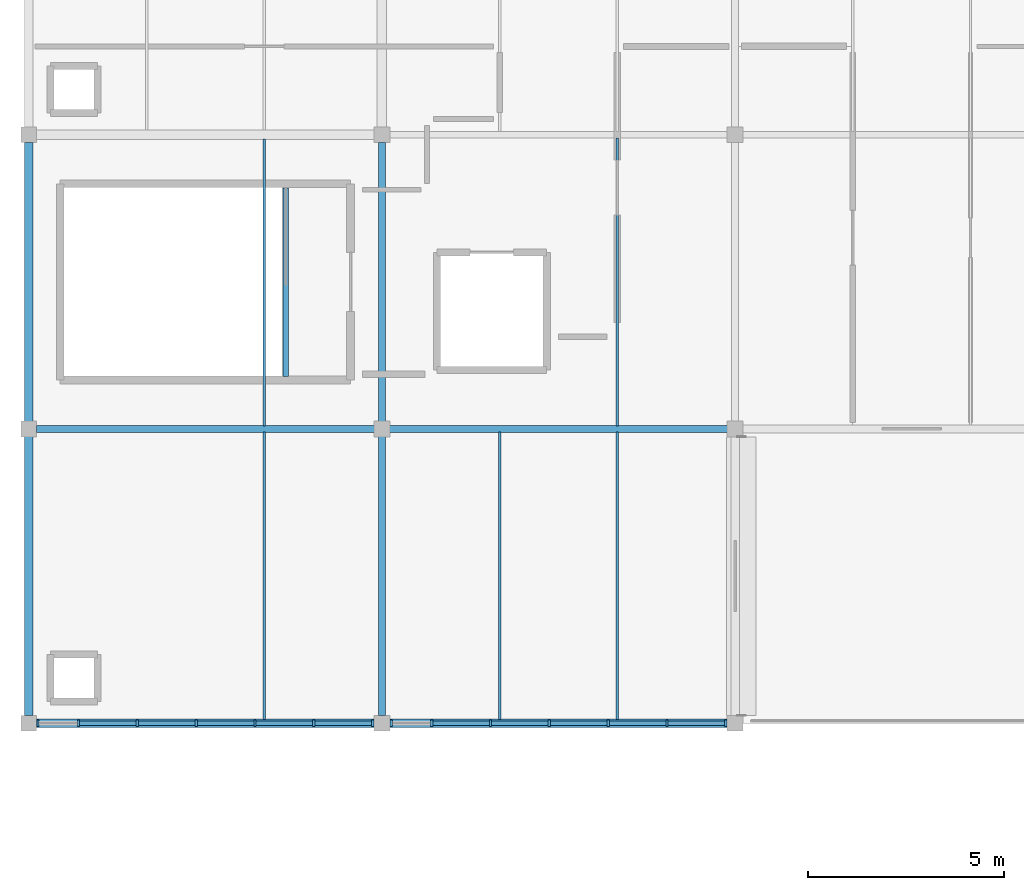
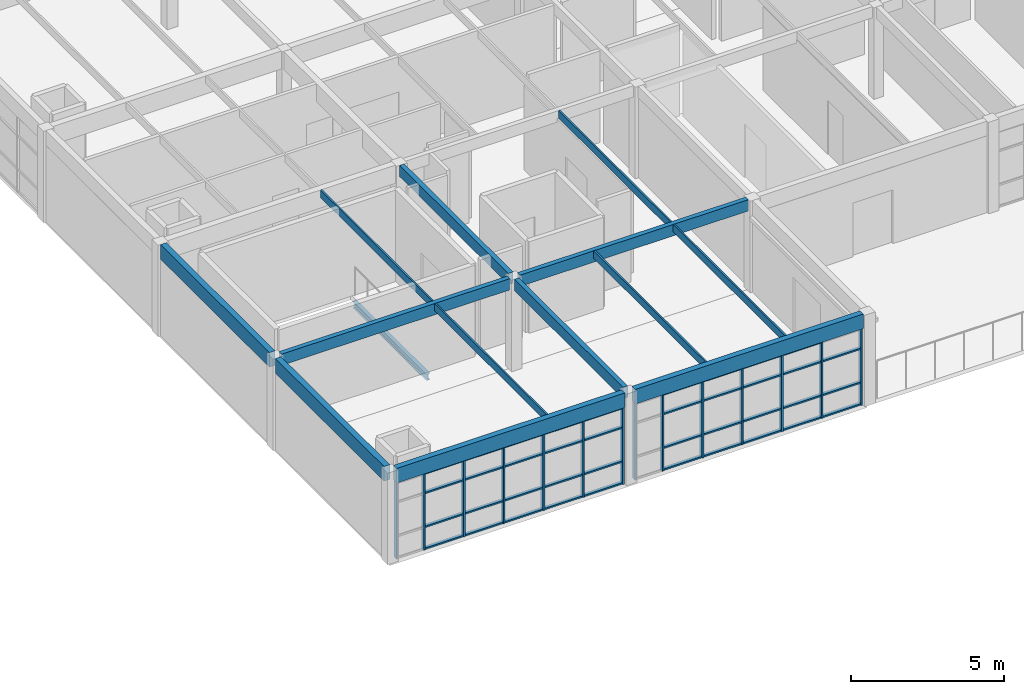
# One storey, part 11 of 45: 53 members, 14 beams, 2 elements without a shape of their own.
"""IFC4 building model written with IfcOpenShell, lengths in metres."""

from ifc_helpers import new_model, si_unit, direction, frame, origin, origin_2d, place, context, subcontext, project, spatial, rectangle, i_section, extrude, material, layer, layer_set, material_profile, profile_set, type_object, element, aggregate, save


model = new_model("IFC4")

# Units and contexts
model_context = context("Model", 3, precision=1e-05, world=origin(), true_north=direction((0.0, 1.0)))
body_context = subcontext(model_context, "Body", "Model", "MODEL_VIEW")
ifc_project = project(units=[si_unit("LENGTHUNIT", "METRE"), si_unit("AREAUNIT", "SQUARE_METRE"), si_unit("VOLUMEUNIT", "CUBIC_METRE"), si_unit("PLANEANGLEUNIT", "RADIAN"), si_unit("MASSUNIT", "GRAM", prefix="KILO")], contexts=[model_context])

# Site, building, storey
site_placement = place(None, origin())
site = spatial("IfcSite", under=ifc_project, at=site_placement, CompositionType="ELEMENT")
building_placement = place(site_placement, origin())
building = spatial("IfcBuilding", under=site, at=building_placement, Name="Marnridge Secondary College", CompositionType="ELEMENT")
storey_placement = place(building_placement, frame((0.0, 0.0, 12.300048828125)))
storey = spatial("IfcBuildingStorey", under=building, at=storey_placement, Name="L03", CompositionType="ELEMENT", Elevation=12.300048828125)

# Beams
ifc_material_1 = material(Name="Glulam timber GL18", Category="wood")
ifc_material_profile_1 = material_profile(ifc_material_1, rectangle(XDim=0.175048828125, YDim=0.449951171875, at=origin_2d()), Name="GL18 175x450")
ifc_profile_set_1 = profile_set([ifc_material_profile_1], Name="Glulam timber GL18")
beam_type_1 = type_object("IfcBeamType", Name="BM-GL450-INT", PredefinedType="BEAM", material=ifc_profile_set_1)
beam_1_placement = place(storey_placement, frame((0.194091796875, 90.0, 3.425048828125), z_axis=(1.0, 0.0, 0.0), x_axis=(0.0, 1.0, 0.0)))
element("IfcBeam", 1, at=beam_1_placement, inside=storey, type_object=beam_type_1, Name="Beam BRF-L03-1311", PredefinedType="BEAM", context=body_context, shape_type="SweptSolid", body=[
    extrude(rectangle(XDim=0.175048828125, YDim=0.449951171875, at=origin_2d()), origin(), (0.0, 0.0, 1.0), 8.61181640625),
])
beam_2_placement = place(storey_placement, frame((9.0, 90.194091796875, 3.425048828125), z_axis=(0.0, 1.0, 0.0), x_axis=(-1.0, 0.0, 0.0)))
element("IfcBeam", 2, at=beam_2_placement, inside=storey, type_object=beam_type_1, Name="Beam BRF-L03-1314", PredefinedType="BEAM", context=body_context, shape_type="SweptSolid", body=[
    extrude(rectangle(XDim=0.175048828125, YDim=0.449951171875, at=origin_2d()), origin(), (0.0, 0.0, 1.0), 7.11181640625),
])
beam_3_placement = place(storey_placement, frame((9.194091796875, 90.0, 3.425048828125), z_axis=(1.0, 0.0, 0.0), x_axis=(0.0, 1.0, 0.0)))
element("IfcBeam", 3, at=beam_3_placement, inside=storey, type_object=beam_type_1, Name="Beam BRF-L03-1324", PredefinedType="BEAM", context=body_context, shape_type="SweptSolid", body=[
    extrude(rectangle(XDim=0.175048828125, YDim=0.449951171875, at=origin_2d()), origin(), (0.0, 0.0, 1.0), 8.61181640625),
])
beam_4_placement = place(storey_placement, frame((9.0, 82.694091796875, 3.425048828125), z_axis=(0.0, 1.0, 0.0), x_axis=(-1.0, 0.0, 0.0)))
element("IfcBeam", 4, at=beam_4_placement, inside=storey, type_object=beam_type_1, Name="Beam BRF-L03-1353", PredefinedType="BEAM", context=body_context, shape_type="SweptSolid", body=[
    extrude(rectangle(XDim=0.175048828125, YDim=0.449951171875, at=origin_2d()), origin(), (0.0, 0.0, 1.0), 7.11181640625),
])
ifc_material_2 = material(Name="Glulam timber GL18", Category="wood")
ifc_material_profile_2 = material_profile(ifc_material_2, rectangle(XDim=0.215087890625, YDim=0.5849609375, at=origin_2d()), Name="GL18 215x585")
ifc_profile_set_2 = profile_set([ifc_material_profile_2], Name="Glulam timber GL18")
beam_type_2 = type_object("IfcBeamType", Name="BM-GL585-EXT", PredefinedType="SPANDREL", material=ifc_profile_set_2)
beam_5_placement = place(storey_placement, frame((0.0, 90.194091796875, 3.357421875), z_axis=(0.0, 1.0, 0.0), x_axis=(-1.0, 0.0, 0.0)))
element("IfcBeam", 5, at=beam_5_placement, inside=storey, type_object=beam_type_2, Name="Beam BRF-L03-1313", PredefinedType="SPANDREL", context=body_context, shape_type="SweptSolid", body=[
    extrude(rectangle(XDim=0.215087890625, YDim=0.5849609375, at=origin_2d()), origin(), (0.0, 0.0, 1.0), 7.11181640625),
])
beam_6_placement = place(storey_placement, frame((0.194091796875, 82.5, 3.357421875), z_axis=(1.0, 0.0, 0.0), x_axis=(0.0, 1.0, 0.0)))
element("IfcBeam", 6, at=beam_6_placement, inside=storey, type_object=beam_type_2, Name="Beam BRF-L03-1351", PredefinedType="SPANDREL", context=body_context, shape_type="SweptSolid", body=[
    extrude(rectangle(XDim=0.215087890625, YDim=0.5849609375, at=origin_2d()), origin(), (0.0, 0.0, 1.0), 8.61181640625),
])
beam_7_placement = place(storey_placement, frame((0.0, 82.694091796875, 3.357421875), z_axis=(0.0, 1.0, 0.0), x_axis=(-1.0, 0.0, 0.0)))
element("IfcBeam", 7, at=beam_7_placement, inside=storey, type_object=beam_type_2, Name="Beam BRF-L03-1352", PredefinedType="SPANDREL", context=body_context, shape_type="SweptSolid", body=[
    extrude(rectangle(XDim=0.215087890625, YDim=0.5849609375, at=origin_2d()), origin(), (0.0, 0.0, 1.0), 7.11181640625),
])
beam_8_placement = place(storey_placement, frame((9.194091796875, 82.5, 3.357421875), z_axis=(1.0, 0.0, 0.0), x_axis=(0.0, 1.0, 0.0)))
element("IfcBeam", 8, at=beam_8_placement, inside=storey, type_object=beam_type_2, Name="Beam BRF-L03-1354", PredefinedType="SPANDREL", context=body_context, shape_type="SweptSolid", body=[
    extrude(rectangle(XDim=0.215087890625, YDim=0.5849609375, at=origin_2d()), origin(), (0.0, 0.0, 1.0), 8.61181640625),
])
ifc_material_3 = material(Name="Engineered timber LVL E13.2", Category="wood")
ifc_material_profile_3 = material_profile(ifc_material_3, rectangle(XDim=0.06298828125, YDim=0.300048828125, at=origin_2d()), Name="LVL 63x300")
ifc_profile_set_3 = profile_set([ifc_material_profile_3], Name="Engineered timber LVL E13.2")
beam_type_3 = type_object("IfcBeamType", Name="BM-LVL300-INT", PredefinedType="JOIST", material=ifc_profile_set_3)
beam_9_placement = place(storey_placement, frame((6.0, 90.08154296875, 3.5), z_axis=(0.0, 1.0, 0.0), x_axis=(-1.0, 0.0, 0.0)))
element("IfcBeam", 9, at=beam_9_placement, inside=storey, type_object=beam_type_3, Name="Beam BJ-L03-1356", PredefinedType="JOIST", context=body_context, shape_type="SweptSolid", body=[
    extrude(rectangle(XDim=0.06298828125, YDim=0.300048828125, at=origin_2d()), origin(), (0.0, 0.0, 1.0), 7.304443359375),
])
beam_10_placement = place(storey_placement, frame((15.0, 90.08154296875, 3.5), z_axis=(0.0, 1.0, 0.0), x_axis=(-1.0, 0.0, 0.0)))
element("IfcBeam", 10, at=beam_10_placement, inside=storey, type_object=beam_type_3, Name="Beam BJ-L03-1362", PredefinedType="JOIST", context=body_context, shape_type="SweptSolid", body=[
    extrude(rectangle(XDim=0.06298828125, YDim=0.300048828125, at=origin_2d()), origin(), (0.0, 0.0, 1.0), 7.3369140625),
])
for number, where, z_axis, x_axis, name in (
    (11, (6.0, 82.6015625, 3.5), (0.0, 1.0, 0.0), (-1.0, 0.0, 0.0), "Beam BJ-L03-1380"),
    (12, (12.0, 82.6015625, 3.5), (0.0, 1.0, 0.0), (-1.0, 0.0, 0.0), "Beam BJ-L03-1381"),
    (13, (15.0, 82.6015625, 3.5), (0.0, 1.0, 0.0), (-1.0, 0.0, 0.0), "Beam BJ-L03-1382"),
):
    element("IfcBeam", number, at=place(storey_placement, frame(where, z_axis=z_axis, x_axis=x_axis)), inside=storey, type_object=beam_type_3, Name=name, PredefinedType="JOIST", context=body_context, shape_type="SweptSolid", body=[
        extrude(rectangle(XDim=0.06298828125, YDim=0.300048828125, at=origin_2d()), origin(), (0.0, 0.0, 1.0), 7.31689453125),
    ])
ifc_material_4 = material(Name="Structural steel Grade 350 (AS/NZS 3679.1/.2, fy = 340-360 MPa)", Category="steel")
ifc_material_profile_4 = material_profile(ifc_material_4, i_section(OverallWidth=0.146240234375, OverallDepth=0.256103515625, WebThickness=0.00634765625, FlangeThickness=0.010986328125, FilletRadius=0.0087890625, at=origin_2d()), Name="250UB37.3")
ifc_profile_set_4 = profile_set([ifc_material_profile_4], Name="Structural steel Grade 350 (AS/NZS 3679.1/.2, fy = 340-360 MPa)")
beam_type_4 = type_object("IfcBeamType", Name="BM-UB250-EXT", PredefinedType="LINTEL", material=ifc_profile_set_4)
beam_11_placement = place(storey_placement, frame((6.550048828125, 91.342041015625, -0.34814453125), z_axis=(0.0, 1.0, 0.0), x_axis=(-1.0, 0.0, 0.0)))
element("IfcBeam", 14, at=beam_11_placement, inside=storey, type_object=beam_type_4, Name="Stair landing trimmer beam BT-L03-042", PredefinedType="LINTEL", context=body_context, shape_type="SweptSolid", body=[
    extrude(i_section(OverallWidth=0.146240234375, OverallDepth=0.256103515625, WebThickness=0.00634765625, FlangeThickness=0.010986328125, FilletRadius=0.0087890625, at=origin_2d()), origin(), (0.0, 0.0, 1.0), 4.802978515625),
])

# Curtain wall, members
ifc_material_5 = material(Name="Thermally broken aluminium and low-E glazing", Category="aluminium")
ifc_layer = layer(ifc_material_5, 0.159912109375)
ifc_layer_set = layer_set([ifc_layer], Name="CW-MOD-1500")
curtain_wall_type = type_object("IfcCurtainWallType", Name="CW-MOD-1500", PredefinedType="NOTDEFINED", material=ifc_layer_set)
curtain_wall_1_placement = place(storey_placement, origin())
curtain_wall_1 = element("IfcCurtainWall", 15, at=curtain_wall_1_placement, inside=storey, type_object=curtain_wall_type, Name="Unitised curtain wall CW-L03-123", PredefinedType="NOTDEFINED")
ifc_material_6 = material(Name="Anodised aluminium 6063-T6", Category="aluminium")
ifc_material_profile_5 = material_profile(ifc_material_6, rectangle(XDim=0.06005859375, YDim=0.159912109375, at=origin_2d()), Name="ALU 60x160")
ifc_profile_set_5 = profile_set([ifc_material_profile_5], Name="Anodised aluminium 6063-T6")
member_type_1 = type_object("IfcMemberType", Name="CWM-ALU160", PredefinedType="MULLION", material=ifc_profile_set_5)
member_1_placement = place(storey_placement, frame((17.76611328125, 82.5, 0.0), z_axis=(0.0, 0.0, 1.0), x_axis=(-1.0, 0.0, 0.0)))
member_1 = element("IfcMember", 16, at=member_1_placement, type_object=member_type_1, Name="CW-L03-123 mullion 1", PredefinedType="MULLION", context=body_context, shape_type="SweptSolid", body=[
    extrude(rectangle(XDim=0.06005859375, YDim=0.159912109375, at=origin_2d()), origin(), (0.0, 0.0, 1.0), 3.056884765625),
])
member_2_placement = place(storey_placement, frame((16.26611328125, 82.5, 0.0), z_axis=(0.0, 0.0, 1.0), x_axis=(-1.0, 0.0, 0.0)))
member_2 = element("IfcMember", 17, at=member_2_placement, type_object=member_type_1, Name="CW-L03-123 mullion 2", PredefinedType="MULLION", context=body_context, shape_type="SweptSolid", body=[
    extrude(rectangle(XDim=0.06005859375, YDim=0.159912109375, at=origin_2d()), origin(), (0.0, 0.0, 1.0), 3.056884765625),
])
member_3_placement = place(storey_placement, frame((14.76611328125, 82.5, 0.0), z_axis=(0.0, 0.0, 1.0), x_axis=(-1.0, 0.0, 0.0)))
member_3 = element("IfcMember", 18, at=member_3_placement, type_object=member_type_1, Name="CW-L03-123 mullion 3", PredefinedType="MULLION", context=body_context, shape_type="SweptSolid", body=[
    extrude(rectangle(XDim=0.06005859375, YDim=0.159912109375, at=origin_2d()), origin(), (0.0, 0.0, 1.0), 3.056884765625),
])
member_4_placement = place(storey_placement, frame((13.26611328125, 82.5, 0.0), z_axis=(0.0, 0.0, 1.0), x_axis=(-1.0, 0.0, 0.0)))
member_4 = element("IfcMember", 19, at=member_4_placement, type_object=member_type_1, Name="CW-L03-123 mullion 4", PredefinedType="MULLION", context=body_context, shape_type="SweptSolid", body=[
    extrude(rectangle(XDim=0.06005859375, YDim=0.159912109375, at=origin_2d()), origin(), (0.0, 0.0, 1.0), 3.056884765625),
])
member_5_placement = place(storey_placement, frame((11.76611328125, 82.5, 0.0), z_axis=(0.0, 0.0, 1.0), x_axis=(-1.0, 0.0, 0.0)))
member_5 = element("IfcMember", 20, at=member_5_placement, type_object=member_type_1, Name="CW-L03-123 mullion 5", PredefinedType="MULLION", context=body_context, shape_type="SweptSolid", body=[
    extrude(rectangle(XDim=0.06005859375, YDim=0.159912109375, at=origin_2d()), origin(), (0.0, 0.0, 1.0), 3.056884765625),
])
member_6_placement = place(storey_placement, frame((10.26611328125, 82.5, 0.0), z_axis=(0.0, 0.0, 1.0), x_axis=(-1.0, 0.0, 0.0)))
member_6 = element("IfcMember", 21, at=member_6_placement, type_object=member_type_1, Name="CW-L03-123 mullion 6", PredefinedType="MULLION", context=body_context, shape_type="SweptSolid", body=[
    extrude(rectangle(XDim=0.06005859375, YDim=0.159912109375, at=origin_2d()), origin(), (0.0, 0.0, 1.0), 3.056884765625),
])
member_7_placement = place(storey_placement, frame((9.23388671875, 82.5, 0.0), z_axis=(0.0, 0.0, 1.0), x_axis=(-1.0, 0.0, 0.0)))
member_7 = element("IfcMember", 22, at=member_7_placement, type_object=member_type_1, Name="CW-L03-123 mullion 7", PredefinedType="MULLION", context=body_context, shape_type="SweptSolid", body=[
    extrude(rectangle(XDim=0.06005859375, YDim=0.159912109375, at=origin_2d()), origin(), (0.0, 0.0, 1.0), 3.056884765625),
])

curtain_wall_2_placement = place(storey_placement, origin())
curtain_wall_2 = element("IfcCurtainWall", 23, at=curtain_wall_2_placement, inside=storey, type_object=curtain_wall_type, Name="Unitised curtain wall CW-L03-124", PredefinedType="NOTDEFINED")
member_8_placement = place(storey_placement, frame((8.76611328125, 82.5, 0.0), z_axis=(0.0, 0.0, 1.0), x_axis=(-1.0, 0.0, 0.0)))
member_8 = element("IfcMember", 24, at=member_8_placement, type_object=member_type_1, Name="CW-L03-124 mullion 1", PredefinedType="MULLION", context=body_context, shape_type="SweptSolid", body=[
    extrude(rectangle(XDim=0.06005859375, YDim=0.159912109375, at=origin_2d()), origin(), (0.0, 0.0, 1.0), 3.056884765625),
])
member_9_placement = place(storey_placement, frame((7.26611328125, 82.5, 0.0), z_axis=(0.0, 0.0, 1.0), x_axis=(-1.0, 0.0, 0.0)))
member_9 = element("IfcMember", 25, at=member_9_placement, type_object=member_type_1, Name="CW-L03-124 mullion 2", PredefinedType="MULLION", context=body_context, shape_type="SweptSolid", body=[
    extrude(rectangle(XDim=0.06005859375, YDim=0.159912109375, at=origin_2d()), origin(), (0.0, 0.0, 1.0), 3.056884765625),
])
member_10_placement = place(storey_placement, frame((5.76611328125, 82.5, 0.0), z_axis=(0.0, 0.0, 1.0), x_axis=(-1.0, 0.0, 0.0)))
member_10 = element("IfcMember", 26, at=member_10_placement, type_object=member_type_1, Name="CW-L03-124 mullion 3", PredefinedType="MULLION", context=body_context, shape_type="SweptSolid", body=[
    extrude(rectangle(XDim=0.06005859375, YDim=0.159912109375, at=origin_2d()), origin(), (0.0, 0.0, 1.0), 3.056884765625),
])
member_11_placement = place(storey_placement, frame((4.26611328125, 82.5, 0.0), z_axis=(0.0, 0.0, 1.0), x_axis=(-1.0, 0.0, 0.0)))
member_11 = element("IfcMember", 27, at=member_11_placement, type_object=member_type_1, Name="CW-L03-124 mullion 4", PredefinedType="MULLION", context=body_context, shape_type="SweptSolid", body=[
    extrude(rectangle(XDim=0.06005859375, YDim=0.159912109375, at=origin_2d()), origin(), (0.0, 0.0, 1.0), 3.056884765625),
])
member_12_placement = place(storey_placement, frame((2.76611328125, 82.5, 0.0), z_axis=(0.0, 0.0, 1.0), x_axis=(-1.0, 0.0, 0.0)))
member_12 = element("IfcMember", 28, at=member_12_placement, type_object=member_type_1, Name="CW-L03-124 mullion 5", PredefinedType="MULLION", context=body_context, shape_type="SweptSolid", body=[
    extrude(rectangle(XDim=0.06005859375, YDim=0.159912109375, at=origin_2d()), origin(), (0.0, 0.0, 1.0), 3.056884765625),
])
member_13_placement = place(storey_placement, frame((1.26611328125, 82.5, 0.0), z_axis=(0.0, 0.0, 1.0), x_axis=(-1.0, 0.0, 0.0)))
member_13 = element("IfcMember", 29, at=member_13_placement, type_object=member_type_1, Name="CW-L03-124 mullion 6", PredefinedType="MULLION", context=body_context, shape_type="SweptSolid", body=[
    extrude(rectangle(XDim=0.06005859375, YDim=0.159912109375, at=origin_2d()), origin(), (0.0, 0.0, 1.0), 3.056884765625),
])
member_14_placement = place(storey_placement, frame((0.23388671875, 82.5, 0.0), z_axis=(0.0, 0.0, 1.0), x_axis=(-1.0, 0.0, 0.0)))
member_14 = element("IfcMember", 30, at=member_14_placement, type_object=member_type_1, Name="CW-L03-124 mullion 7", PredefinedType="MULLION", context=body_context, shape_type="SweptSolid", body=[
    extrude(rectangle(XDim=0.06005859375, YDim=0.159912109375, at=origin_2d()), origin(), (0.0, 0.0, 1.0), 3.056884765625),
])

# Member
ifc_material_7 = material(Name="Anodised aluminium 6063-T6", Category="aluminium")
ifc_material_profile_6 = material_profile(ifc_material_7, rectangle(XDim=0.06005859375, YDim=0.1201171875, at=origin_2d()), Name="ALU 60x120")
ifc_profile_set_6 = profile_set([ifc_material_profile_6], Name="Anodised aluminium 6063-T6")
member_type_2 = type_object("IfcMemberType", Name="CWT-ALU120", PredefinedType="USERDEFINED", material=ifc_profile_set_6)
member_15_placement = place(storey_placement, frame((17.736083984375, 82.5, 0.030029296875), z_axis=(-1.0, 0.0, 0.0), x_axis=(0.0, 0.0, 1.0)))
member_15 = element("IfcMember", 31, at=member_15_placement, type_object=member_type_2, Name="CW-L03-123 transom 1.1", ObjectType="TRANSOM", PredefinedType="USERDEFINED", context=body_context, shape_type="SweptSolid", body=[
    extrude(rectangle(XDim=0.06005859375, YDim=0.1201171875, at=origin_2d()), origin(), (0.0, 0.0, 1.0), 1.440185546875),
])

member_16_placement = place(storey_placement, frame((17.736083984375, 82.5, 0.89990234375), z_axis=(-1.0, 0.0, 0.0), x_axis=(0.0, 0.0, 1.0)))
member_16 = element("IfcMember", 32, at=member_16_placement, type_object=member_type_2, Name="CW-L03-123 transom 1.2", ObjectType="TRANSOM", PredefinedType="USERDEFINED", context=body_context, shape_type="SweptSolid", body=[
    extrude(rectangle(XDim=0.06005859375, YDim=0.1201171875, at=origin_2d()), origin(), (0.0, 0.0, 1.0), 1.440185546875),
])

member_17_placement = place(storey_placement, frame((17.736083984375, 82.5, 2.25), z_axis=(-1.0, 0.0, 0.0), x_axis=(0.0, 0.0, 1.0)))
member_17 = element("IfcMember", 33, at=member_17_placement, type_object=member_type_2, Name="CW-L03-123 transom 1.3", ObjectType="TRANSOM", PredefinedType="USERDEFINED", context=body_context, shape_type="SweptSolid", body=[
    extrude(rectangle(XDim=0.06005859375, YDim=0.1201171875, at=origin_2d()), origin(), (0.0, 0.0, 1.0), 1.440185546875),
])

member_18_placement = place(storey_placement, frame((16.236083984375, 82.5, 0.030029296875), z_axis=(-1.0, 0.0, 0.0), x_axis=(0.0, 0.0, 1.0)))
member_18 = element("IfcMember", 34, at=member_18_placement, type_object=member_type_2, Name="CW-L03-123 transom 2.1", ObjectType="TRANSOM", PredefinedType="USERDEFINED", context=body_context, shape_type="SweptSolid", body=[
    extrude(rectangle(XDim=0.06005859375, YDim=0.1201171875, at=origin_2d()), origin(), (0.0, 0.0, 1.0), 1.440185546875),
])

member_19_placement = place(storey_placement, frame((16.236083984375, 82.5, 0.89990234375), z_axis=(-1.0, 0.0, 0.0), x_axis=(0.0, 0.0, 1.0)))
member_19 = element("IfcMember", 35, at=member_19_placement, type_object=member_type_2, Name="CW-L03-123 transom 2.2", ObjectType="TRANSOM", PredefinedType="USERDEFINED", context=body_context, shape_type="SweptSolid", body=[
    extrude(rectangle(XDim=0.06005859375, YDim=0.1201171875, at=origin_2d()), origin(), (0.0, 0.0, 1.0), 1.440185546875),
])

member_20_placement = place(storey_placement, frame((16.236083984375, 82.5, 2.25), z_axis=(-1.0, 0.0, 0.0), x_axis=(0.0, 0.0, 1.0)))
member_20 = element("IfcMember", 36, at=member_20_placement, type_object=member_type_2, Name="CW-L03-123 transom 2.3", ObjectType="TRANSOM", PredefinedType="USERDEFINED", context=body_context, shape_type="SweptSolid", body=[
    extrude(rectangle(XDim=0.06005859375, YDim=0.1201171875, at=origin_2d()), origin(), (0.0, 0.0, 1.0), 1.440185546875),
])

member_21_placement = place(storey_placement, frame((16.236083984375, 82.5, 3.02685546875), z_axis=(-1.0, 0.0, 0.0), x_axis=(0.0, 0.0, 1.0)))
member_21 = element("IfcMember", 37, at=member_21_placement, type_object=member_type_2, Name="CW-L03-123 transom 2.4", ObjectType="TRANSOM", PredefinedType="USERDEFINED", context=body_context, shape_type="SweptSolid", body=[
    extrude(rectangle(XDim=0.06005859375, YDim=0.1201171875, at=origin_2d()), origin(), (0.0, 0.0, 1.0), 1.440185546875),
])

member_22_placement = place(storey_placement, frame((14.736083984375, 82.5, 0.030029296875), z_axis=(-1.0, 0.0, 0.0), x_axis=(0.0, 0.0, 1.0)))
member_22 = element("IfcMember", 38, at=member_22_placement, type_object=member_type_2, Name="CW-L03-123 transom 3.1", ObjectType="TRANSOM", PredefinedType="USERDEFINED", context=body_context, shape_type="SweptSolid", body=[
    extrude(rectangle(XDim=0.06005859375, YDim=0.1201171875, at=origin_2d()), origin(), (0.0, 0.0, 1.0), 1.440185546875),
])

member_23_placement = place(storey_placement, frame((14.736083984375, 82.5, 0.89990234375), z_axis=(-1.0, 0.0, 0.0), x_axis=(0.0, 0.0, 1.0)))
member_23 = element("IfcMember", 39, at=member_23_placement, type_object=member_type_2, Name="CW-L03-123 transom 3.2", ObjectType="TRANSOM", PredefinedType="USERDEFINED", context=body_context, shape_type="SweptSolid", body=[
    extrude(rectangle(XDim=0.06005859375, YDim=0.1201171875, at=origin_2d()), origin(), (0.0, 0.0, 1.0), 1.440185546875),
])

member_24_placement = place(storey_placement, frame((14.736083984375, 82.5, 2.25), z_axis=(-1.0, 0.0, 0.0), x_axis=(0.0, 0.0, 1.0)))
member_24 = element("IfcMember", 40, at=member_24_placement, type_object=member_type_2, Name="CW-L03-123 transom 3.3", ObjectType="TRANSOM", PredefinedType="USERDEFINED", context=body_context, shape_type="SweptSolid", body=[
    extrude(rectangle(XDim=0.06005859375, YDim=0.1201171875, at=origin_2d()), origin(), (0.0, 0.0, 1.0), 1.440185546875),
])

member_25_placement = place(storey_placement, frame((14.736083984375, 82.5, 3.02685546875), z_axis=(-1.0, 0.0, 0.0), x_axis=(0.0, 0.0, 1.0)))
member_25 = element("IfcMember", 41, at=member_25_placement, type_object=member_type_2, Name="CW-L03-123 transom 3.4", ObjectType="TRANSOM", PredefinedType="USERDEFINED", context=body_context, shape_type="SweptSolid", body=[
    extrude(rectangle(XDim=0.06005859375, YDim=0.1201171875, at=origin_2d()), origin(), (0.0, 0.0, 1.0), 1.440185546875),
])

member_26_placement = place(storey_placement, frame((13.236083984375, 82.5, 0.030029296875), z_axis=(-1.0, 0.0, 0.0), x_axis=(0.0, 0.0, 1.0)))
member_26 = element("IfcMember", 42, at=member_26_placement, type_object=member_type_2, Name="CW-L03-123 transom 4.1", ObjectType="TRANSOM", PredefinedType="USERDEFINED", context=body_context, shape_type="SweptSolid", body=[
    extrude(rectangle(XDim=0.06005859375, YDim=0.1201171875, at=origin_2d()), origin(), (0.0, 0.0, 1.0), 1.440185546875),
])

member_27_placement = place(storey_placement, frame((13.236083984375, 82.5, 0.89990234375), z_axis=(-1.0, 0.0, 0.0), x_axis=(0.0, 0.0, 1.0)))
member_27 = element("IfcMember", 43, at=member_27_placement, type_object=member_type_2, Name="CW-L03-123 transom 4.2", ObjectType="TRANSOM", PredefinedType="USERDEFINED", context=body_context, shape_type="SweptSolid", body=[
    extrude(rectangle(XDim=0.06005859375, YDim=0.1201171875, at=origin_2d()), origin(), (0.0, 0.0, 1.0), 1.440185546875),
])

member_28_placement = place(storey_placement, frame((13.236083984375, 82.5, 2.25), z_axis=(-1.0, 0.0, 0.0), x_axis=(0.0, 0.0, 1.0)))
member_28 = element("IfcMember", 44, at=member_28_placement, type_object=member_type_2, Name="CW-L03-123 transom 4.3", ObjectType="TRANSOM", PredefinedType="USERDEFINED", context=body_context, shape_type="SweptSolid", body=[
    extrude(rectangle(XDim=0.06005859375, YDim=0.1201171875, at=origin_2d()), origin(), (0.0, 0.0, 1.0), 1.440185546875),
])

member_29_placement = place(storey_placement, frame((13.236083984375, 82.5, 3.02685546875), z_axis=(-1.0, 0.0, 0.0), x_axis=(0.0, 0.0, 1.0)))
member_29 = element("IfcMember", 45, at=member_29_placement, type_object=member_type_2, Name="CW-L03-123 transom 4.4", ObjectType="TRANSOM", PredefinedType="USERDEFINED", context=body_context, shape_type="SweptSolid", body=[
    extrude(rectangle(XDim=0.06005859375, YDim=0.1201171875, at=origin_2d()), origin(), (0.0, 0.0, 1.0), 1.440185546875),
])

member_30_placement = place(storey_placement, frame((11.736083984375, 82.5, 0.030029296875), z_axis=(-1.0, 0.0, 0.0), x_axis=(0.0, 0.0, 1.0)))
member_30 = element("IfcMember", 46, at=member_30_placement, type_object=member_type_2, Name="CW-L03-123 transom 5.1", ObjectType="TRANSOM", PredefinedType="USERDEFINED", context=body_context, shape_type="SweptSolid", body=[
    extrude(rectangle(XDim=0.06005859375, YDim=0.1201171875, at=origin_2d()), origin(), (0.0, 0.0, 1.0), 1.440185546875),
])

member_31_placement = place(storey_placement, frame((11.736083984375, 82.5, 0.89990234375), z_axis=(-1.0, 0.0, 0.0), x_axis=(0.0, 0.0, 1.0)))
member_31 = element("IfcMember", 47, at=member_31_placement, type_object=member_type_2, Name="CW-L03-123 transom 5.2", ObjectType="TRANSOM", PredefinedType="USERDEFINED", context=body_context, shape_type="SweptSolid", body=[
    extrude(rectangle(XDim=0.06005859375, YDim=0.1201171875, at=origin_2d()), origin(), (0.0, 0.0, 1.0), 1.440185546875),
])

member_32_placement = place(storey_placement, frame((11.736083984375, 82.5, 2.25), z_axis=(-1.0, 0.0, 0.0), x_axis=(0.0, 0.0, 1.0)))
member_32 = element("IfcMember", 48, at=member_32_placement, type_object=member_type_2, Name="CW-L03-123 transom 5.3", ObjectType="TRANSOM", PredefinedType="USERDEFINED", context=body_context, shape_type="SweptSolid", body=[
    extrude(rectangle(XDim=0.06005859375, YDim=0.1201171875, at=origin_2d()), origin(), (0.0, 0.0, 1.0), 1.440185546875),
])

member_33_placement = place(storey_placement, frame((11.736083984375, 82.5, 3.02685546875), z_axis=(-1.0, 0.0, 0.0), x_axis=(0.0, 0.0, 1.0)))
member_33 = element("IfcMember", 49, at=member_33_placement, type_object=member_type_2, Name="CW-L03-123 transom 5.4", ObjectType="TRANSOM", PredefinedType="USERDEFINED", context=body_context, shape_type="SweptSolid", body=[
    extrude(rectangle(XDim=0.06005859375, YDim=0.1201171875, at=origin_2d()), origin(), (0.0, 0.0, 1.0), 1.440185546875),
])

aggregate(curtain_wall_1, [member_1, member_2, member_3, member_4, member_5, member_6, member_7, member_15, member_16, member_17, member_18, member_19, member_20, member_21, member_22, member_23, member_24, member_25, member_26, member_27, member_28, member_29, member_30, member_31, member_32, member_33])

member_34_placement = place(storey_placement, frame((8.736083984375, 82.5, 0.030029296875), z_axis=(-1.0, 0.0, 0.0), x_axis=(0.0, 0.0, 1.0)))
member_34 = element("IfcMember", 50, at=member_34_placement, type_object=member_type_2, Name="CW-L03-124 transom 1.1", ObjectType="TRANSOM", PredefinedType="USERDEFINED", context=body_context, shape_type="SweptSolid", body=[
    extrude(rectangle(XDim=0.06005859375, YDim=0.1201171875, at=origin_2d()), origin(), (0.0, 0.0, 1.0), 1.440185546875),
])

member_35_placement = place(storey_placement, frame((8.736083984375, 82.5, 0.89990234375), z_axis=(-1.0, 0.0, 0.0), x_axis=(0.0, 0.0, 1.0)))
member_35 = element("IfcMember", 51, at=member_35_placement, type_object=member_type_2, Name="CW-L03-124 transom 1.2", ObjectType="TRANSOM", PredefinedType="USERDEFINED", context=body_context, shape_type="SweptSolid", body=[
    extrude(rectangle(XDim=0.06005859375, YDim=0.1201171875, at=origin_2d()), origin(), (0.0, 0.0, 1.0), 1.440185546875),
])

member_36_placement = place(storey_placement, frame((8.736083984375, 82.5, 2.25), z_axis=(-1.0, 0.0, 0.0), x_axis=(0.0, 0.0, 1.0)))
member_36 = element("IfcMember", 52, at=member_36_placement, type_object=member_type_2, Name="CW-L03-124 transom 1.3", ObjectType="TRANSOM", PredefinedType="USERDEFINED", context=body_context, shape_type="SweptSolid", body=[
    extrude(rectangle(XDim=0.06005859375, YDim=0.1201171875, at=origin_2d()), origin(), (0.0, 0.0, 1.0), 1.440185546875),
])

member_37_placement = place(storey_placement, frame((8.736083984375, 82.5, 3.02685546875), z_axis=(-1.0, 0.0, 0.0), x_axis=(0.0, 0.0, 1.0)))
member_37 = element("IfcMember", 53, at=member_37_placement, type_object=member_type_2, Name="CW-L03-124 transom 1.4", ObjectType="TRANSOM", PredefinedType="USERDEFINED", context=body_context, shape_type="SweptSolid", body=[
    extrude(rectangle(XDim=0.06005859375, YDim=0.1201171875, at=origin_2d()), origin(), (0.0, 0.0, 1.0), 1.440185546875),
])

member_38_placement = place(storey_placement, frame((7.236083984375, 82.5, 0.030029296875), z_axis=(-1.0, 0.0, 0.0), x_axis=(0.0, 0.0, 1.0)))
member_38 = element("IfcMember", 54, at=member_38_placement, type_object=member_type_2, Name="CW-L03-124 transom 2.1", ObjectType="TRANSOM", PredefinedType="USERDEFINED", context=body_context, shape_type="SweptSolid", body=[
    extrude(rectangle(XDim=0.06005859375, YDim=0.1201171875, at=origin_2d()), origin(), (0.0, 0.0, 1.0), 1.440185546875),
])

member_39_placement = place(storey_placement, frame((7.236083984375, 82.5, 0.89990234375), z_axis=(-1.0, 0.0, 0.0), x_axis=(0.0, 0.0, 1.0)))
member_39 = element("IfcMember", 55, at=member_39_placement, type_object=member_type_2, Name="CW-L03-124 transom 2.2", ObjectType="TRANSOM", PredefinedType="USERDEFINED", context=body_context, shape_type="SweptSolid", body=[
    extrude(rectangle(XDim=0.06005859375, YDim=0.1201171875, at=origin_2d()), origin(), (0.0, 0.0, 1.0), 1.440185546875),
])

member_40_placement = place(storey_placement, frame((7.236083984375, 82.5, 2.25), z_axis=(-1.0, 0.0, 0.0), x_axis=(0.0, 0.0, 1.0)))
member_40 = element("IfcMember", 56, at=member_40_placement, type_object=member_type_2, Name="CW-L03-124 transom 2.3", ObjectType="TRANSOM", PredefinedType="USERDEFINED", context=body_context, shape_type="SweptSolid", body=[
    extrude(rectangle(XDim=0.06005859375, YDim=0.1201171875, at=origin_2d()), origin(), (0.0, 0.0, 1.0), 1.440185546875),
])

member_41_placement = place(storey_placement, frame((7.236083984375, 82.5, 3.02685546875), z_axis=(-1.0, 0.0, 0.0), x_axis=(0.0, 0.0, 1.0)))
member_41 = element("IfcMember", 57, at=member_41_placement, type_object=member_type_2, Name="CW-L03-124 transom 2.4", ObjectType="TRANSOM", PredefinedType="USERDEFINED", context=body_context, shape_type="SweptSolid", body=[
    extrude(rectangle(XDim=0.06005859375, YDim=0.1201171875, at=origin_2d()), origin(), (0.0, 0.0, 1.0), 1.440185546875),
])

member_42_placement = place(storey_placement, frame((5.736083984375, 82.5, 0.030029296875), z_axis=(-1.0, 0.0, 0.0), x_axis=(0.0, 0.0, 1.0)))
member_42 = element("IfcMember", 58, at=member_42_placement, type_object=member_type_2, Name="CW-L03-124 transom 3.1", ObjectType="TRANSOM", PredefinedType="USERDEFINED", context=body_context, shape_type="SweptSolid", body=[
    extrude(rectangle(XDim=0.06005859375, YDim=0.1201171875, at=origin_2d()), origin(), (0.0, 0.0, 1.0), 1.440185546875),
])

member_43_placement = place(storey_placement, frame((5.736083984375, 82.5, 0.89990234375), z_axis=(-1.0, 0.0, 0.0), x_axis=(0.0, 0.0, 1.0)))
member_43 = element("IfcMember", 59, at=member_43_placement, type_object=member_type_2, Name="CW-L03-124 transom 3.2", ObjectType="TRANSOM", PredefinedType="USERDEFINED", context=body_context, shape_type="SweptSolid", body=[
    extrude(rectangle(XDim=0.06005859375, YDim=0.1201171875, at=origin_2d()), origin(), (0.0, 0.0, 1.0), 1.440185546875),
])

member_44_placement = place(storey_placement, frame((5.736083984375, 82.5, 2.25), z_axis=(-1.0, 0.0, 0.0), x_axis=(0.0, 0.0, 1.0)))
member_44 = element("IfcMember", 60, at=member_44_placement, type_object=member_type_2, Name="CW-L03-124 transom 3.3", ObjectType="TRANSOM", PredefinedType="USERDEFINED", context=body_context, shape_type="SweptSolid", body=[
    extrude(rectangle(XDim=0.06005859375, YDim=0.1201171875, at=origin_2d()), origin(), (0.0, 0.0, 1.0), 1.440185546875),
])

member_45_placement = place(storey_placement, frame((5.736083984375, 82.5, 3.02685546875), z_axis=(-1.0, 0.0, 0.0), x_axis=(0.0, 0.0, 1.0)))
member_45 = element("IfcMember", 61, at=member_45_placement, type_object=member_type_2, Name="CW-L03-124 transom 3.4", ObjectType="TRANSOM", PredefinedType="USERDEFINED", context=body_context, shape_type="SweptSolid", body=[
    extrude(rectangle(XDim=0.06005859375, YDim=0.1201171875, at=origin_2d()), origin(), (0.0, 0.0, 1.0), 1.440185546875),
])

member_46_placement = place(storey_placement, frame((4.236083984375, 82.5, 0.030029296875), z_axis=(-1.0, 0.0, 0.0), x_axis=(0.0, 0.0, 1.0)))
member_46 = element("IfcMember", 62, at=member_46_placement, type_object=member_type_2, Name="CW-L03-124 transom 4.1", ObjectType="TRANSOM", PredefinedType="USERDEFINED", context=body_context, shape_type="SweptSolid", body=[
    extrude(rectangle(XDim=0.06005859375, YDim=0.1201171875, at=origin_2d()), origin(), (0.0, 0.0, 1.0), 1.440185546875),
])

member_47_placement = place(storey_placement, frame((4.236083984375, 82.5, 0.89990234375), z_axis=(-1.0, 0.0, 0.0), x_axis=(0.0, 0.0, 1.0)))
member_47 = element("IfcMember", 63, at=member_47_placement, type_object=member_type_2, Name="CW-L03-124 transom 4.2", ObjectType="TRANSOM", PredefinedType="USERDEFINED", context=body_context, shape_type="SweptSolid", body=[
    extrude(rectangle(XDim=0.06005859375, YDim=0.1201171875, at=origin_2d()), origin(), (0.0, 0.0, 1.0), 1.440185546875),
])

member_48_placement = place(storey_placement, frame((4.236083984375, 82.5, 2.25), z_axis=(-1.0, 0.0, 0.0), x_axis=(0.0, 0.0, 1.0)))
member_48 = element("IfcMember", 64, at=member_48_placement, type_object=member_type_2, Name="CW-L03-124 transom 4.3", ObjectType="TRANSOM", PredefinedType="USERDEFINED", context=body_context, shape_type="SweptSolid", body=[
    extrude(rectangle(XDim=0.06005859375, YDim=0.1201171875, at=origin_2d()), origin(), (0.0, 0.0, 1.0), 1.440185546875),
])

member_49_placement = place(storey_placement, frame((4.236083984375, 82.5, 3.02685546875), z_axis=(-1.0, 0.0, 0.0), x_axis=(0.0, 0.0, 1.0)))
member_49 = element("IfcMember", 65, at=member_49_placement, type_object=member_type_2, Name="CW-L03-124 transom 4.4", ObjectType="TRANSOM", PredefinedType="USERDEFINED", context=body_context, shape_type="SweptSolid", body=[
    extrude(rectangle(XDim=0.06005859375, YDim=0.1201171875, at=origin_2d()), origin(), (0.0, 0.0, 1.0), 1.440185546875),
])

member_50_placement = place(storey_placement, frame((2.736083984375, 82.5, 0.030029296875), z_axis=(-1.0, 0.0, 0.0), x_axis=(0.0, 0.0, 1.0)))
member_50 = element("IfcMember", 66, at=member_50_placement, type_object=member_type_2, Name="CW-L03-124 transom 5.1", ObjectType="TRANSOM", PredefinedType="USERDEFINED", context=body_context, shape_type="SweptSolid", body=[
    extrude(rectangle(XDim=0.06005859375, YDim=0.1201171875, at=origin_2d()), origin(), (0.0, 0.0, 1.0), 1.440185546875),
])

member_51_placement = place(storey_placement, frame((2.736083984375, 82.5, 0.89990234375), z_axis=(-1.0, 0.0, 0.0), x_axis=(0.0, 0.0, 1.0)))
member_51 = element("IfcMember", 67, at=member_51_placement, type_object=member_type_2, Name="CW-L03-124 transom 5.2", ObjectType="TRANSOM", PredefinedType="USERDEFINED", context=body_context, shape_type="SweptSolid", body=[
    extrude(rectangle(XDim=0.06005859375, YDim=0.1201171875, at=origin_2d()), origin(), (0.0, 0.0, 1.0), 1.440185546875),
])

member_52_placement = place(storey_placement, frame((2.736083984375, 82.5, 2.25), z_axis=(-1.0, 0.0, 0.0), x_axis=(0.0, 0.0, 1.0)))
member_52 = element("IfcMember", 68, at=member_52_placement, type_object=member_type_2, Name="CW-L03-124 transom 5.3", ObjectType="TRANSOM", PredefinedType="USERDEFINED", context=body_context, shape_type="SweptSolid", body=[
    extrude(rectangle(XDim=0.06005859375, YDim=0.1201171875, at=origin_2d()), origin(), (0.0, 0.0, 1.0), 1.440185546875),
])

member_53_placement = place(storey_placement, frame((2.736083984375, 82.5, 3.02685546875), z_axis=(-1.0, 0.0, 0.0), x_axis=(0.0, 0.0, 1.0)))
member_53 = element("IfcMember", 69, at=member_53_placement, type_object=member_type_2, Name="CW-L03-124 transom 5.4", ObjectType="TRANSOM", PredefinedType="USERDEFINED", context=body_context, shape_type="SweptSolid", body=[
    extrude(rectangle(XDim=0.06005859375, YDim=0.1201171875, at=origin_2d()), origin(), (0.0, 0.0, 1.0), 1.440185546875),
])

aggregate(curtain_wall_2, [member_8, member_9, member_10, member_11, member_12, member_13, member_14, member_34, member_35, member_36, member_37, member_38, member_39, member_40, member_41, member_42, member_43, member_44, member_45, member_46, member_47, member_48, member_49, member_50, member_51, member_52, member_53])

save(model, "model.ifc")
